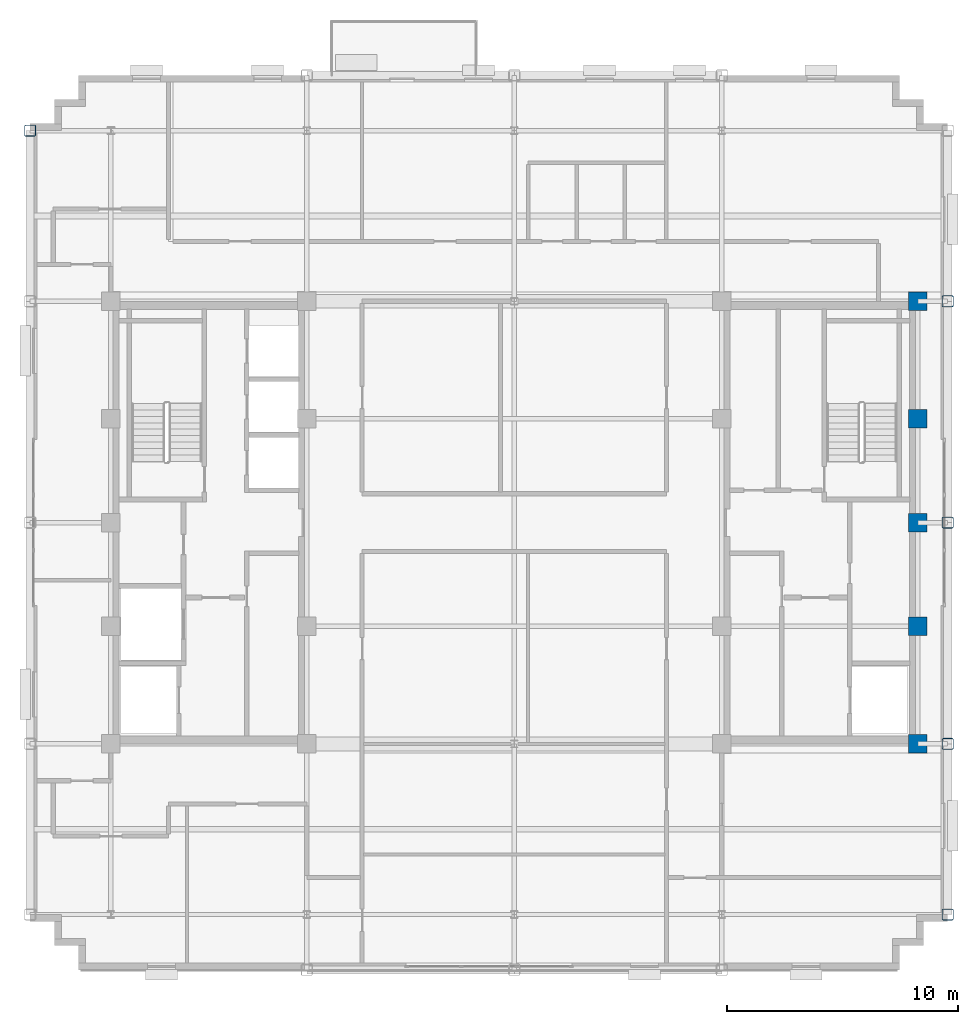
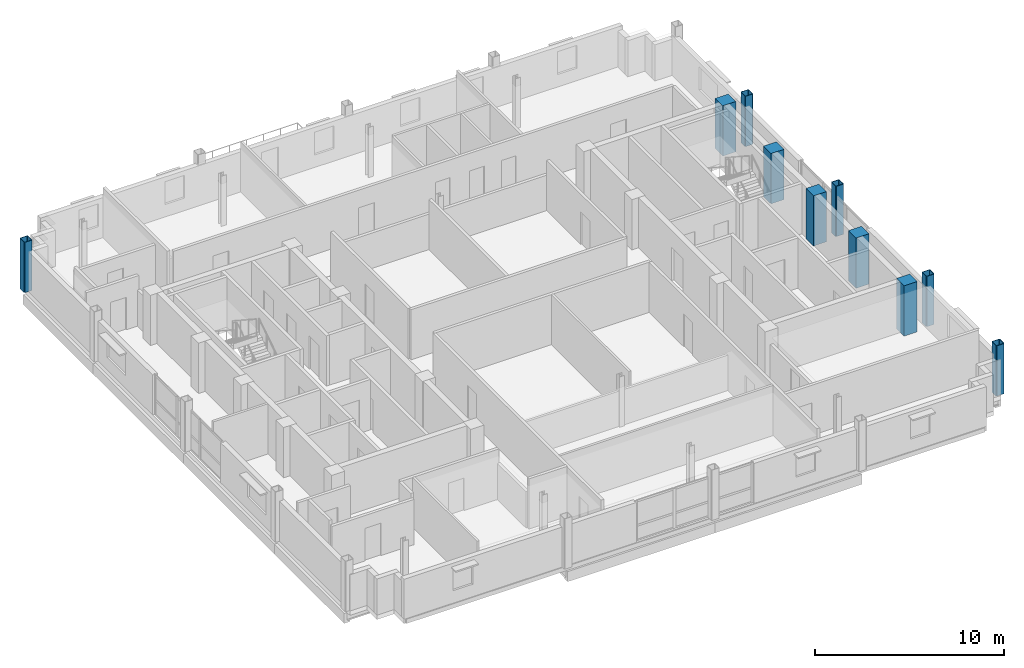
# One storey, part 2 of 16: 10 columns.
"""IFC4 building model written with IfcOpenShell, lengths in metres."""

from ifc_helpers import new_model, si_unit, direction, frame, origin, origin_2d, place, context, subcontext, project, spatial, rectangle, hollow_rectangle, extrude, material, material_profile, profile_set, type_object, element, save


model = new_model("IFC4")

# Units and contexts
model_context = context("Model", 3, precision=1e-05, world=origin(), true_north=direction((0.0, 1.0)))
body_context = subcontext(model_context, "Body", "Model", "MODEL_VIEW")
ifc_project = project(units=[si_unit("LENGTHUNIT", "METRE"), si_unit("AREAUNIT", "SQUARE_METRE"), si_unit("VOLUMEUNIT", "CUBIC_METRE"), si_unit("PLANEANGLEUNIT", "RADIAN"), si_unit("MASSUNIT", "GRAM", prefix="KILO")], contexts=[model_context])

# Site, building, storey
site_placement = place(None, origin())
site = spatial("IfcSite", under=ifc_project, at=site_placement, CompositionType="ELEMENT")
building_placement = place(site_placement, origin())
building = spatial("IfcBuilding", under=site, at=building_placement, Name="Nuvemarco Arch Tower", CompositionType="ELEMENT")
storey_placement = place(building_placement, frame((0.0, 0.0, 249.300048828125)))
storey = spatial("IfcBuildingStorey", under=building, at=storey_placement, Name="L66", CompositionType="ELEMENT", Elevation=249.300048828125)

# Columns
ifc_material_1 = material(Name="Concrete C50/60", Category="concrete")
ifc_material_profile_1 = material_profile(ifc_material_1, rectangle(XDim=0.800048828125, YDim=0.800048828125, at=origin_2d()), Name="RC-COL-800x800")
ifc_profile_set_1 = profile_set([ifc_material_profile_1], Name="Concrete C50/60")
column_type_1 = type_object("IfcColumnType", Name="COL-CORE-800", PredefinedType="COLUMN", material=ifc_profile_set_1)
for number, where, z_axis, x_axis, name in (
    (1, (17.5, -9.60009765625, 0.0), (0.0, 0.0, 1.0), (1.0, 0.0, 0.0), "L66 column CC_+17.5_-9.6"),
    (2, (17.5, -4.5, 0.0), (0.0, 0.0, 1.0), (1.0, 0.0, 0.0), "L66 column CC_+17.5_-4.5"),
    (3, (17.5, 4.5, 0.0), (0.0, 0.0, 1.0), (1.0, 0.0, 0.0), "L66 column CC_+17.5_+4.5"),
    (4, (17.5, 9.60009765625, 0.0), (0.0, 0.0, 1.0), (1.0, 0.0, 0.0), "L66 column CC_+17.5_+9.6"),
    (5, (17.5, 0.0, 0.0), (0.0, 0.0, 1.0), (1.0, 0.0, 0.0), "L66 column CC_+17.5_+0.0"),
):
    element("IfcColumn", number, at=place(storey_placement, frame(where, z_axis=z_axis, x_axis=x_axis)), inside=storey, type_object=column_type_1, Name=name, PredefinedType="COLUMN", context=body_context, shape_type="SweptSolid", body=[
        extrude(rectangle(XDim=0.800048828125, YDim=0.800048828125, at=origin_2d()), origin(), (0.0, 0.0, 1.0), 3.25),
    ])
ifc_material_2 = material(Name="Steel S355", Category="steel")
ifc_material_profile_2 = material_profile(ifc_material_2, hollow_rectangle(XDim=0.5, YDim=0.5, WallThickness=0.031982421875, InnerFilletRadius=0.031982421875, OuterFilletRadius=0.06396484375, at=origin_2d()), Name="SHS500x500x32")
ifc_profile_set_2 = profile_set([ifc_material_profile_2], Name="Steel S355")
column_type_2 = type_object("IfcColumnType", Name="COL-EXO-500", PredefinedType="COLUMN", material=ifc_profile_set_2)
for number, where, z_axis, x_axis, name in (
    (6, (-21.0, 17.0, 0.0), (0.0, 0.0, 1.0), (1.0, 0.0, 0.0), "L66 column CX_-21.0_+17.0"),
    (7, (18.800048828125, -17.0, 0.0), (0.0, 0.0, 1.0), (1.0, 0.0, 0.0), "L66 column CX_+18.8_-17.0"),
    (8, (18.800048828125, -9.60009765625, 0.0), (0.0, 0.0, 1.0), (1.0, 0.0, 0.0), "L66 column CX_+18.8_-9.6"),
    (9, (18.800048828125, 0.0, 0.0), (0.0, 0.0, 1.0), (1.0, 0.0, 0.0), "L66 column CX_+18.8_+0.0"),
    (10, (18.800048828125, 9.60009765625, 0.0), (0.0, 0.0, 1.0), (1.0, 0.0, 0.0), "L66 column CX_+18.8_+9.6"),
):
    element("IfcColumn", number, at=place(storey_placement, frame(where, z_axis=z_axis, x_axis=x_axis)), inside=storey, type_object=column_type_2, Name=name, PredefinedType="COLUMN", context=body_context, shape_type="SweptSolid", body=[
        extrude(hollow_rectangle(XDim=0.5, YDim=0.5, WallThickness=0.031982421875, InnerFilletRadius=0.031982421875, OuterFilletRadius=0.06396484375, at=origin_2d()), origin(), (0.0, 0.0, 1.0), 3.25),
    ])

save(model, "model.ifc")
